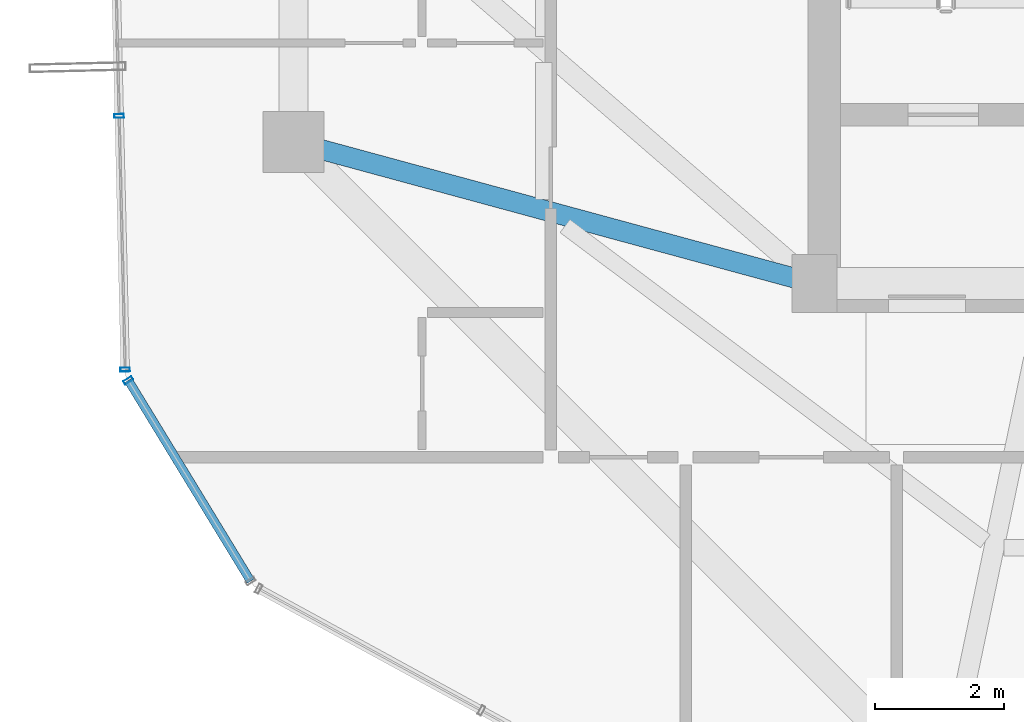
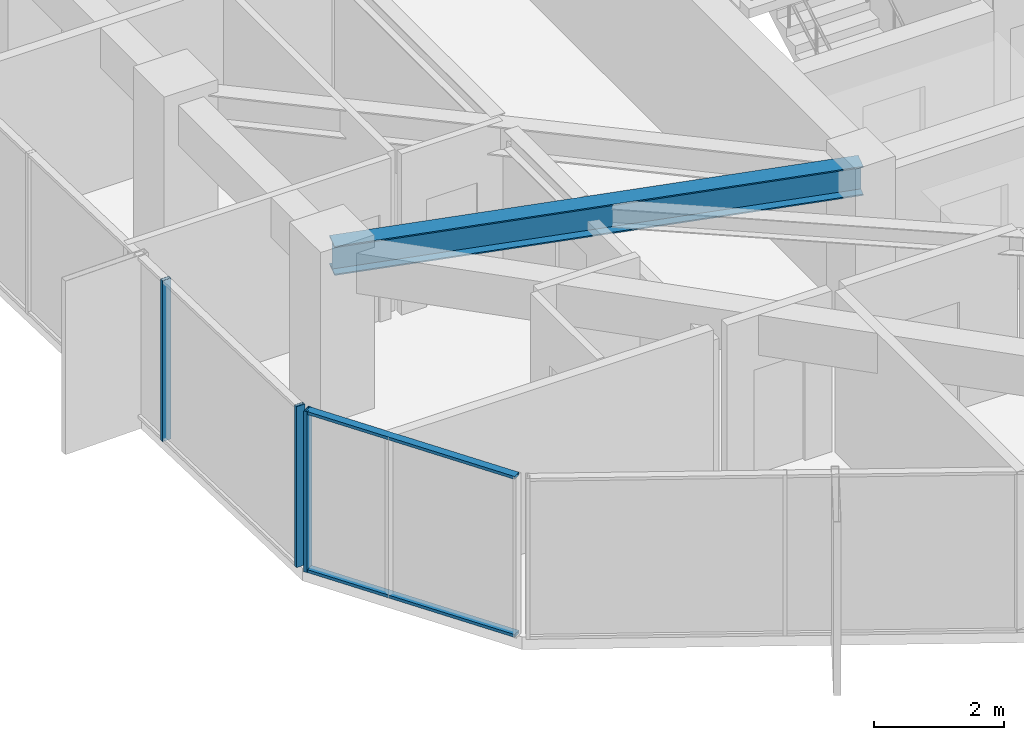
# One storey, part 5 of 32: 5 members, 1 beam, 2 elements without a shape of their own.
"""IFC4 building model written with IfcOpenShell, lengths in metres."""

from ifc_helpers import new_model, si_unit, direction, frame, origin, origin_2d, place, context, subcontext, project, spatial, hollow_rectangle, i_section, extrude, source, transform, mapped, material, layer, layer_set, material_profile, profile_set, type_object, element, aggregate, save


model = new_model("IFC4")

# Units and contexts
model_context = context("Model", 3, precision=1e-05, world=origin(), true_north=direction((0.0, 1.0)))
body_context = subcontext(model_context, "Body", "Model", "MODEL_VIEW")
ifc_project = project(units=[si_unit("LENGTHUNIT", "METRE"), si_unit("AREAUNIT", "SQUARE_METRE"), si_unit("VOLUMEUNIT", "CUBIC_METRE"), si_unit("PLANEANGLEUNIT", "RADIAN"), si_unit("MASSUNIT", "GRAM", prefix="KILO")], contexts=[model_context])

# Site, building, storey
site_placement = place(None, origin())
site = spatial("IfcSite", under=ifc_project, at=site_placement, CompositionType="ELEMENT")
building_placement = place(site_placement, origin())
building = spatial("IfcBuilding", under=site, at=building_placement, Name="Veraguas Prism Commons", CompositionType="ELEMENT")
storey_placement = place(building_placement, frame((0.0, 0.0, 201.60009765625)))
storey = spatial("IfcBuildingStorey", under=building, at=storey_placement, Name="L57", CompositionType="ELEMENT", Elevation=201.60009765625)

# Beam
ifc_material_1 = material(Name="Steel ASTM A992 Grade 50", Category="steel")
ifc_material_profile_1 = material_profile(ifc_material_1, i_section(OverallWidth=0.31103515625, OverallDepth=0.5458984375, WebThickness=0.0146484375, FlangeThickness=0.023681640625, at=origin_2d()), Name="W530X165")
ifc_profile_set_1 = profile_set([ifc_material_profile_1], Name="Steel ASTM A992 Grade 50")
beam_type = type_object("IfcBeamType", Name="Zone 3 Radial Girder W530x165", PredefinedType="BEAM", material=ifc_profile_set_1)
beam_placement = place(storey_placement, frame((9.10009765625, 19.199951171875, 2.741943359375), z_axis=(0.965038506703, -0.262108146725, 0.0), x_axis=(0.262108146725, 0.965038506703, 0.0)))
element("IfcBeam", 1, at=beam_placement, inside=storey, type_object=beam_type, Name="Radial Floor Girder L57-RD09", PredefinedType="BEAM", context=body_context, shape_type="SweptSolid", body=[
    extrude(i_section(OverallWidth=0.31103515625, OverallDepth=0.5458984375, WebThickness=0.0146484375, FlangeThickness=0.023681640625, at=origin_2d()), origin(), (0.0, 0.0, 1.0), 8.393310546875),
])

# Curtain wall, members
ifc_material_2 = material(Name="Anodised aluminium EN AW-6063 T6", Category="aluminium")
ifc_layer = layer(ifc_material_2, 0.14990234375, Name="Unitised Flush Curtain Wall Zone 3", Category="aluminium")
ifc_layer_set = layer_set([ifc_layer], Name="Anodised aluminium EN AW-6063 T6")
curtain_wall_type = type_object("IfcCurtainWallType", Name="Unitised Flush Curtain Wall Zone 3", PredefinedType="NOTDEFINED", material=ifc_layer_set)
curtain_wall_1_placement = place(storey_placement, origin())
curtain_wall_1 = element("IfcCurtainWall", 2, at=curtain_wall_1_placement, inside=storey, type_object=curtain_wall_type, Name="Tower Facade Curtain Wall L57-F3", PredefinedType="NOTDEFINED")
ifc_material_profile_2 = material_profile(ifc_material_2, hollow_rectangle(XDim=0.06005859375, YDim=0.14990234375, WallThickness=0.0029296875, at=origin_2d()), Name="AL60X150X3")
ifc_profile_set_2 = profile_set([ifc_material_profile_2], Name="Anodised aluminium EN AW-6063 T6")
member_type_1 = type_object("IfcMemberType", Name="Curtain Wall Mullion Upper AL 60x150x3", PredefinedType="MULLION", material=ifc_profile_set_2)
shared_shape_1 = source(origin(), body_context, "Body", "SweptSolid", [
    extrude(hollow_rectangle(XDim=0.06005859375, YDim=0.14990234375, WallThickness=0.0029296875, at=origin_2d()), origin(), (0.0, 0.0, 1.0), 3.014892578125),
])
member_1_placement = place(storey_placement, frame((6.38916015625, 19.605224609375, 0.0), z_axis=(0.0, 0.0, 1.0), x_axis=(0.023737738629, -0.999718220182, 0.0)))
member_1 = element("IfcMember", 3, at=member_1_placement, type_object=member_type_1, Name="CW-Z3 Mullion 4", PredefinedType="MULLION", context=body_context, shape_type="MappedRepresentation", body=[
    mapped(shared_shape_1, transform((0.0, 0.0, 0.0), scale=1.0)),
])
member_2_placement = place(storey_placement, frame((6.482666015625, 15.66064453125, 0.0), z_axis=(0.0, 0.0, 1.0), x_axis=(0.023737738629, -0.999718220182, 0.0)))
member_2 = element("IfcMember", 4, at=member_2_placement, type_object=member_type_1, Name="CW-Z3 Mullion 5", PredefinedType="MULLION", context=body_context, shape_type="MappedRepresentation", body=[
    mapped(shared_shape_1, transform((0.0, 0.0, 0.0), scale=1.0)),
])
aggregate(curtain_wall_1, [member_1, member_2])

curtain_wall_2_placement = place(storey_placement, origin())
curtain_wall_2 = element("IfcCurtainWall", 5, at=curtain_wall_2_placement, inside=storey, type_object=curtain_wall_type, Name="Chamfer Curtain Wall L57-C4", PredefinedType="NOTDEFINED")
member_3_placement = place(storey_placement, frame((6.53173828125, 15.493896484375, 0.0), z_axis=(0.0, 0.0, 1.0), x_axis=(0.520425536895, -0.853907056153, 0.0)))
member_3 = element("IfcMember", 6, at=member_3_placement, type_object=member_type_1, Name="CW-Z3 Mullion 1", PredefinedType="MULLION", context=body_context, shape_type="MappedRepresentation", body=[
    mapped(shared_shape_1, transform((0.0, 0.0, 0.0), scale=1.0)),
])
ifc_material_profile_3 = material_profile(ifc_material_2, hollow_rectangle(XDim=0.054931640625, YDim=0.135009765625, WallThickness=0.0029296875, at=origin_2d()), Name="AL55X135X3")
ifc_profile_set_3 = profile_set([ifc_material_profile_3], Name="Anodised aluminium EN AW-6063 T6")
member_type_2 = type_object("IfcMemberType", Name="Curtain Wall Transom Standard AL 55x135x3", PredefinedType="USERDEFINED", material=ifc_profile_set_3)
shared_shape_2 = source(origin(), body_context, "Body", "SweptSolid", [
    extrude(hollow_rectangle(XDim=0.054931640625, YDim=0.135009765625, WallThickness=0.0029296875, at=origin_2d()), origin(), (0.0, 0.0, 1.0), 3.654541015625),
])
member_4_placement = place(storey_placement, frame((6.53173828125, 15.493896484375, 0.02734375), z_axis=(0.520417365313, -0.853912036384, 0.0), x_axis=(0.0, 0.0, 1.0)))
member_4 = element("IfcMember", 7, at=member_4_placement, type_object=member_type_2, Name="CW-Z3 Transom 1", ObjectType="TRANSOM", PredefinedType="USERDEFINED", context=body_context, shape_type="MappedRepresentation", body=[
    mapped(shared_shape_2, transform((0.0, 0.0, 0.0), scale=1.0)),
])
member_5_placement = place(storey_placement, frame((6.53173828125, 15.493896484375, 2.9873046875), z_axis=(0.520417365313, -0.853912036384, 0.0), x_axis=(0.0, 0.0, 1.0)))
member_5 = element("IfcMember", 8, at=member_5_placement, type_object=member_type_2, Name="CW-Z3 Transom 2", ObjectType="TRANSOM", PredefinedType="USERDEFINED", context=body_context, shape_type="MappedRepresentation", body=[
    mapped(shared_shape_2, transform((0.0, 0.0, 0.0), scale=1.0)),
])
aggregate(curtain_wall_2, [member_3, member_4, member_5])

save(model, "model.ifc")
